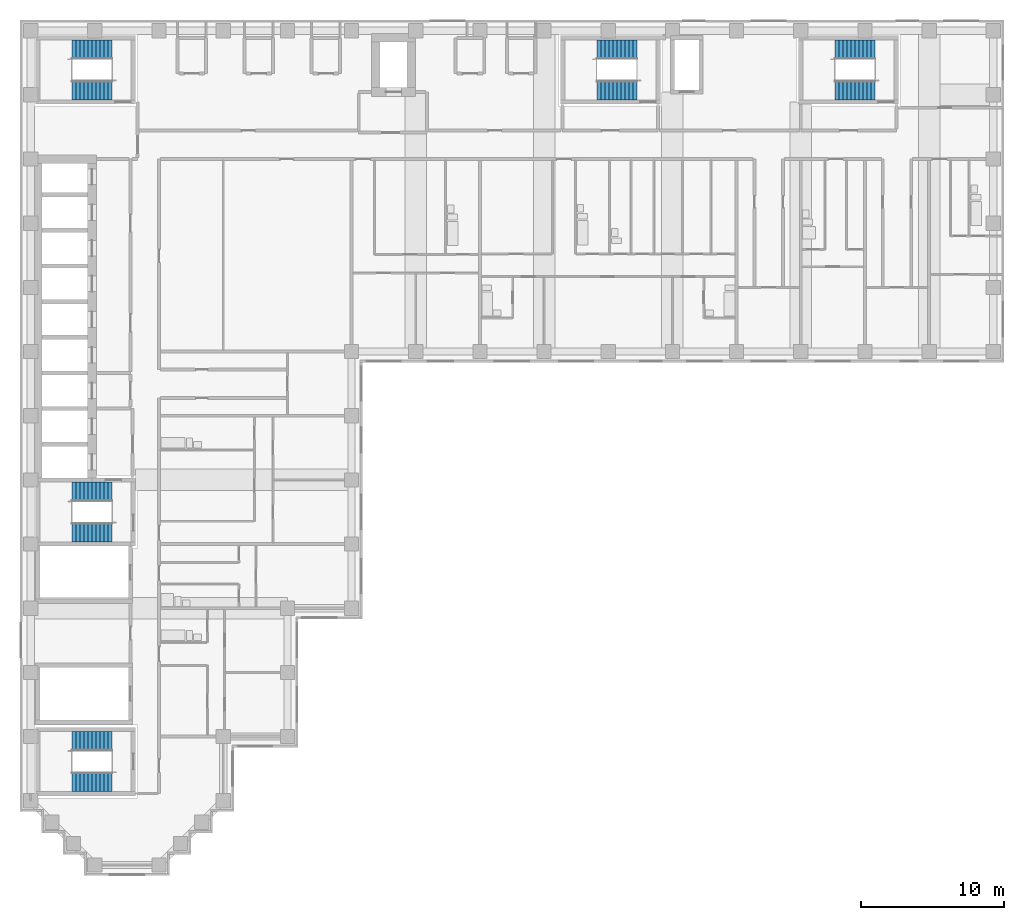
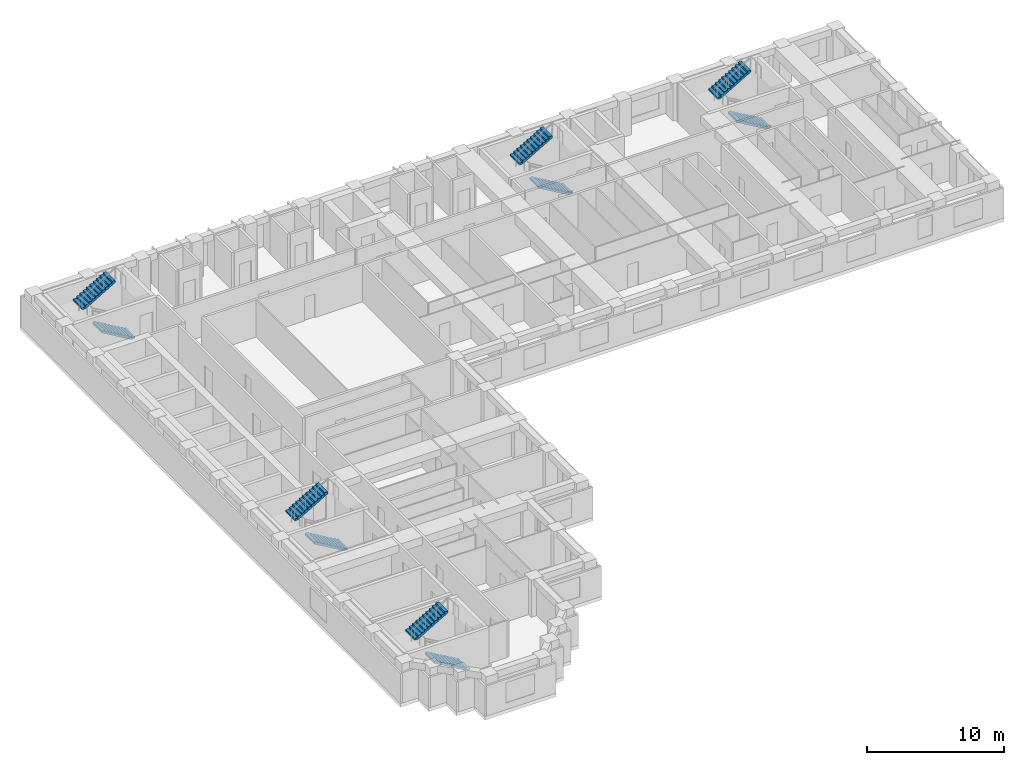
# One storey, part 10 of 12: 10 stair flights, 5 elements without a shape of their own.
"""IFC4 building model written with IfcOpenShell, lengths in metres."""

from ifc_helpers import new_model, si_unit, direction, frame, origin, place, context, subcontext, project, spatial, polyline, outline, extrude, material, type_object, element, aggregate, save


model = new_model("IFC4")

# Units and contexts
model_context = context("Model", 3, precision=1e-05, world=origin(), true_north=direction((0.0, 1.0)))
body_context = subcontext(model_context, "Body", "Model", "MODEL_VIEW")
ifc_project = project(units=[si_unit("LENGTHUNIT", "METRE"), si_unit("AREAUNIT", "SQUARE_METRE"), si_unit("VOLUMEUNIT", "CUBIC_METRE"), si_unit("PLANEANGLEUNIT", "RADIAN"), si_unit("MASSUNIT", "GRAM", prefix="KILO")], contexts=[model_context])

# Site, building, storey
site_placement = place(None, origin())
site = spatial("IfcSite", under=ifc_project, at=site_placement, CompositionType="ELEMENT")
building_placement = place(site_placement, origin())
building = spatial("IfcBuilding", under=site, at=building_placement, Name="Firuza Court", CompositionType="ELEMENT")
storey_placement = place(building_placement, frame((0.0, 0.0, 126.800048828125)))
storey = spatial("IfcBuildingStorey", under=building, at=storey_placement, Name="L31", CompositionType="ELEMENT", Elevation=126.800048828125)

# Stair, stair flights
ifc_material_1 = material(Name="Concrete C40/50 precast", Category="concrete")
stair_type = type_object("IfcStairType", Name="Stair 1350 x 3600 2 flights", PredefinedType="HALF_TURN_STAIR", material=ifc_material_1)
stair_1_placement = place(storey_placement, origin())
stair_1 = element("IfcStair", 1, at=stair_1_placement, inside=storey, type_object=stair_type, Name="Stair 1 L31", PredefinedType="HALF_TURN_STAIR")
ifc_material_2 = material(Name="Concrete C40/50 precast", Category="concrete")
stair_flight_type = type_object("IfcStairFlightType", Name="Flight 1350 riser 163.6", PredefinedType="STRAIGHT", material=ifc_material_2)
stair_flight_1_placement = place(storey_placement, frame((42.5, 54.324951171875, 0.0), z_axis=(0.0, 0.0, 1.0), x_axis=(-1.0, 0.0, 0.0)))
stair_flight_1 = element("IfcStairFlight", 2, at=stair_flight_1_placement, type_object=stair_flight_type, Name="S1 flight 1", NumberOfRisers=11, NumberOfTreads=10, PredefinedType="STRAIGHT", RiserHeight=0.163636364, TreadLength=0.28, context=body_context, shape_type="SweptSolid", body=[
    extrude(outline(polyline([(0.0, 0.0), (0.0, 0.16357421875), (0.280029296875, 0.16357421875), (0.280029296875, 0.327392578125), (0.56005859375, 0.327392578125), (0.56005859375, 0.490966796875), (0.840087890625, 0.490966796875), (0.840087890625, 0.654541015625), (1.1201171875, 0.654541015625), (1.1201171875, 0.818115234375), (1.39990234375, 0.818115234375), (1.39990234375, 0.98193359375), (1.679931640625, 0.98193359375), (1.679931640625, 1.1455078125), (1.9599609375, 1.1455078125), (1.9599609375, 1.30908203125), (2.239990234375, 1.30908203125), (2.239990234375, 1.47265625), (2.52001953125, 1.47265625), (2.52001953125, 1.636474609375), (2.800048828125, 1.636474609375), (2.800048828125, 1.800048828125), (2.800048828125, 1.462646484375), (0.297119140625, 0.0), (0.0, 0.0)])), frame((0.0, 0.675048828125, 0.0), z_axis=(0.0, -1.0, 0.0), x_axis=(1.0, 0.0, 0.0)), (0.0, 0.0, 1.0), 1.35009765625),
])
stair_flight_2_placement = place(storey_placement, frame((39.699951171875, 57.175048828125, 1.800048828125), z_axis=(0.0, 0.0, 1.0), x_axis=(1.0, 0.0, 0.0)))
stair_flight_2 = element("IfcStairFlight", 3, at=stair_flight_2_placement, type_object=stair_flight_type, Name="S1 flight 2", NumberOfRisers=11, NumberOfTreads=10, PredefinedType="STRAIGHT", RiserHeight=0.163636364, TreadLength=0.28, context=body_context, shape_type="SweptSolid", body=[
    extrude(outline(polyline([(0.0, 0.0), (0.0, 0.16357421875), (0.280029296875, 0.16357421875), (0.280029296875, 0.327392578125), (0.56005859375, 0.327392578125), (0.56005859375, 0.490966796875), (0.840087890625, 0.490966796875), (0.840087890625, 0.654541015625), (1.1201171875, 0.654541015625), (1.1201171875, 0.818115234375), (1.39990234375, 0.818115234375), (1.39990234375, 0.98193359375), (1.679931640625, 0.98193359375), (1.679931640625, 1.1455078125), (1.9599609375, 1.1455078125), (1.9599609375, 1.30908203125), (2.239990234375, 1.30908203125), (2.239990234375, 1.47265625), (2.52001953125, 1.47265625), (2.52001953125, 1.636474609375), (2.800048828125, 1.636474609375), (2.800048828125, 1.800048828125), (2.800048828125, 1.462646484375), (0.297119140625, 0.0), (0.0, 0.0)])), frame((0.0, 0.675048828125, 0.0), z_axis=(0.0, -1.0, 0.0), x_axis=(1.0, 0.0, 0.0)), (0.0, 0.0, 1.0), 1.35009765625),
])
aggregate(stair_1, [stair_flight_1, stair_flight_2])

stair_2_placement = place(storey_placement, origin())
stair_2 = element("IfcStair", 4, at=stair_2_placement, inside=storey, type_object=stair_type, Name="Stair 2 L31", PredefinedType="HALF_TURN_STAIR")
stair_flight_3_placement = place(storey_placement, frame((5.699951171875, 23.324951171875, 0.0), z_axis=(0.0, 0.0, 1.0), x_axis=(-1.0, 0.0, 0.0)))
stair_flight_3 = element("IfcStairFlight", 5, at=stair_flight_3_placement, type_object=stair_flight_type, Name="S2 flight 1", NumberOfRisers=11, NumberOfTreads=10, PredefinedType="STRAIGHT", RiserHeight=0.163636364, TreadLength=0.28, context=body_context, shape_type="SweptSolid", body=[
    extrude(outline(polyline([(0.0, 0.0), (0.0, 0.16357421875), (0.280029296875, 0.16357421875), (0.280029296875, 0.327392578125), (0.56005859375, 0.327392578125), (0.56005859375, 0.490966796875), (0.840087890625, 0.490966796875), (0.840087890625, 0.654541015625), (1.1201171875, 0.654541015625), (1.1201171875, 0.818115234375), (1.39990234375, 0.818115234375), (1.39990234375, 0.98193359375), (1.679931640625, 0.98193359375), (1.679931640625, 1.1455078125), (1.9599609375, 1.1455078125), (1.9599609375, 1.30908203125), (2.239990234375, 1.30908203125), (2.239990234375, 1.47265625), (2.52001953125, 1.47265625), (2.52001953125, 1.636474609375), (2.800048828125, 1.636474609375), (2.800048828125, 1.800048828125), (2.800048828125, 1.462646484375), (0.297119140625, 0.0), (0.0, 0.0)])), frame((0.0, 0.675048828125, 0.0), z_axis=(0.0, -1.0, 0.0), x_axis=(1.0, 0.0, 0.0)), (0.0, 0.0, 1.0), 1.35009765625),
])
stair_flight_4_placement = place(storey_placement, frame((2.89990234375, 26.175048828125, 1.800048828125), z_axis=(0.0, 0.0, 1.0), x_axis=(1.0, 0.0, 0.0)))
stair_flight_4 = element("IfcStairFlight", 6, at=stair_flight_4_placement, type_object=stair_flight_type, Name="S2 flight 2", NumberOfRisers=11, NumberOfTreads=10, PredefinedType="STRAIGHT", RiserHeight=0.163636364, TreadLength=0.28, context=body_context, shape_type="SweptSolid", body=[
    extrude(outline(polyline([(0.0, 0.0), (0.0, 0.16357421875), (0.280029296875, 0.16357421875), (0.280029296875, 0.327392578125), (0.56005859375, 0.327392578125), (0.56005859375, 0.490966796875), (0.840087890625, 0.490966796875), (0.840087890625, 0.654541015625), (1.1201171875, 0.654541015625), (1.1201171875, 0.818115234375), (1.39990234375, 0.818115234375), (1.39990234375, 0.98193359375), (1.679931640625, 0.98193359375), (1.679931640625, 1.1455078125), (1.9599609375, 1.1455078125), (1.9599609375, 1.30908203125), (2.239990234375, 1.30908203125), (2.239990234375, 1.47265625), (2.52001953125, 1.47265625), (2.52001953125, 1.636474609375), (2.800048828125, 1.636474609375), (2.800048828125, 1.800048828125), (2.800048828125, 1.462646484375), (0.297119140625, 0.0), (0.0, 0.0)])), frame((0.0, 0.675048828125, 0.0), z_axis=(0.0, -1.0, 0.0), x_axis=(1.0, 0.0, 0.0)), (0.0, 0.0, 1.0), 1.35009765625),
])
aggregate(stair_2, [stair_flight_3, stair_flight_4])

stair_3_placement = place(storey_placement, origin())
stair_3 = element("IfcStair", 7, at=stair_3_placement, inside=storey, type_object=stair_type, Name="Stair 3 L31", PredefinedType="HALF_TURN_STAIR")
stair_flight_5_placement = place(storey_placement, frame((5.699951171875, 54.324951171875, 0.0), z_axis=(0.0, 0.0, 1.0), x_axis=(-1.0, 0.0, 0.0)))
stair_flight_5 = element("IfcStairFlight", 8, at=stair_flight_5_placement, type_object=stair_flight_type, Name="S3 flight 1", NumberOfRisers=11, NumberOfTreads=10, PredefinedType="STRAIGHT", RiserHeight=0.163636364, TreadLength=0.28, context=body_context, shape_type="SweptSolid", body=[
    extrude(outline(polyline([(0.0, 0.0), (0.0, 0.16357421875), (0.280029296875, 0.16357421875), (0.280029296875, 0.327392578125), (0.56005859375, 0.327392578125), (0.56005859375, 0.490966796875), (0.840087890625, 0.490966796875), (0.840087890625, 0.654541015625), (1.1201171875, 0.654541015625), (1.1201171875, 0.818115234375), (1.39990234375, 0.818115234375), (1.39990234375, 0.98193359375), (1.679931640625, 0.98193359375), (1.679931640625, 1.1455078125), (1.9599609375, 1.1455078125), (1.9599609375, 1.30908203125), (2.239990234375, 1.30908203125), (2.239990234375, 1.47265625), (2.52001953125, 1.47265625), (2.52001953125, 1.636474609375), (2.800048828125, 1.636474609375), (2.800048828125, 1.800048828125), (2.800048828125, 1.462646484375), (0.297119140625, 0.0), (0.0, 0.0)])), frame((0.0, 0.675048828125, 0.0), z_axis=(0.0, -1.0, 0.0), x_axis=(1.0, 0.0, 0.0)), (0.0, 0.0, 1.0), 1.35009765625),
])
stair_flight_6_placement = place(storey_placement, frame((2.89990234375, 57.175048828125, 1.800048828125), z_axis=(0.0, 0.0, 1.0), x_axis=(1.0, 0.0, 0.0)))
stair_flight_6 = element("IfcStairFlight", 9, at=stair_flight_6_placement, type_object=stair_flight_type, Name="S3 flight 2", NumberOfRisers=11, NumberOfTreads=10, PredefinedType="STRAIGHT", RiserHeight=0.163636364, TreadLength=0.28, context=body_context, shape_type="SweptSolid", body=[
    extrude(outline(polyline([(0.0, 0.0), (0.0, 0.16357421875), (0.280029296875, 0.16357421875), (0.280029296875, 0.327392578125), (0.56005859375, 0.327392578125), (0.56005859375, 0.490966796875), (0.840087890625, 0.490966796875), (0.840087890625, 0.654541015625), (1.1201171875, 0.654541015625), (1.1201171875, 0.818115234375), (1.39990234375, 0.818115234375), (1.39990234375, 0.98193359375), (1.679931640625, 0.98193359375), (1.679931640625, 1.1455078125), (1.9599609375, 1.1455078125), (1.9599609375, 1.30908203125), (2.239990234375, 1.30908203125), (2.239990234375, 1.47265625), (2.52001953125, 1.47265625), (2.52001953125, 1.636474609375), (2.800048828125, 1.636474609375), (2.800048828125, 1.800048828125), (2.800048828125, 1.462646484375), (0.297119140625, 0.0), (0.0, 0.0)])), frame((0.0, 0.675048828125, 0.0), z_axis=(0.0, -1.0, 0.0), x_axis=(1.0, 0.0, 0.0)), (0.0, 0.0, 1.0), 1.35009765625),
])
aggregate(stair_3, [stair_flight_5, stair_flight_6])

stair_4_placement = place(storey_placement, origin())
stair_4 = element("IfcStair", 10, at=stair_4_placement, inside=storey, type_object=stair_type, Name="Stair 4 L31", PredefinedType="HALF_TURN_STAIR")
stair_flight_7_placement = place(storey_placement, frame((59.199951171875, 54.324951171875, 0.0), z_axis=(0.0, 0.0, 1.0), x_axis=(-1.0, 0.0, 0.0)))
stair_flight_7 = element("IfcStairFlight", 11, at=stair_flight_7_placement, type_object=stair_flight_type, Name="S4 flight 1", NumberOfRisers=11, NumberOfTreads=10, PredefinedType="STRAIGHT", RiserHeight=0.163636364, TreadLength=0.28, context=body_context, shape_type="SweptSolid", body=[
    extrude(outline(polyline([(0.0, 0.0), (0.0, 0.16357421875), (0.280029296875, 0.16357421875), (0.280029296875, 0.327392578125), (0.56005859375, 0.327392578125), (0.56005859375, 0.490966796875), (0.840087890625, 0.490966796875), (0.840087890625, 0.654541015625), (1.1201171875, 0.654541015625), (1.1201171875, 0.818115234375), (1.39990234375, 0.818115234375), (1.39990234375, 0.98193359375), (1.679931640625, 0.98193359375), (1.679931640625, 1.1455078125), (1.9599609375, 1.1455078125), (1.9599609375, 1.30908203125), (2.239990234375, 1.30908203125), (2.239990234375, 1.47265625), (2.52001953125, 1.47265625), (2.52001953125, 1.636474609375), (2.800048828125, 1.636474609375), (2.800048828125, 1.800048828125), (2.800048828125, 1.462646484375), (0.297119140625, 0.0), (0.0, 0.0)])), frame((0.0, 0.675048828125, 0.0), z_axis=(0.0, -1.0, 0.0), x_axis=(1.0, 0.0, 0.0)), (0.0, 0.0, 1.0), 1.35009765625),
])
stair_flight_8_placement = place(storey_placement, frame((56.39990234375, 57.175048828125, 1.800048828125), z_axis=(0.0, 0.0, 1.0), x_axis=(1.0, 0.0, 0.0)))
stair_flight_8 = element("IfcStairFlight", 12, at=stair_flight_8_placement, type_object=stair_flight_type, Name="S4 flight 2", NumberOfRisers=11, NumberOfTreads=10, PredefinedType="STRAIGHT", RiserHeight=0.163636364, TreadLength=0.28, context=body_context, shape_type="SweptSolid", body=[
    extrude(outline(polyline([(0.0, 0.0), (0.0, 0.16357421875), (0.280029296875, 0.16357421875), (0.280029296875, 0.327392578125), (0.56005859375, 0.327392578125), (0.56005859375, 0.490966796875), (0.840087890625, 0.490966796875), (0.840087890625, 0.654541015625), (1.1201171875, 0.654541015625), (1.1201171875, 0.818115234375), (1.39990234375, 0.818115234375), (1.39990234375, 0.98193359375), (1.679931640625, 0.98193359375), (1.679931640625, 1.1455078125), (1.9599609375, 1.1455078125), (1.9599609375, 1.30908203125), (2.239990234375, 1.30908203125), (2.239990234375, 1.47265625), (2.52001953125, 1.47265625), (2.52001953125, 1.636474609375), (2.800048828125, 1.636474609375), (2.800048828125, 1.800048828125), (2.800048828125, 1.462646484375), (0.297119140625, 0.0), (0.0, 0.0)])), frame((0.0, 0.675048828125, 0.0), z_axis=(0.0, -1.0, 0.0), x_axis=(1.0, 0.0, 0.0)), (0.0, 0.0, 1.0), 1.35009765625),
])
aggregate(stair_4, [stair_flight_7, stair_flight_8])

stair_5_placement = place(storey_placement, origin())
stair_5 = element("IfcStair", 13, at=stair_5_placement, inside=storey, type_object=stair_type, Name="Stair 5 L31", PredefinedType="HALF_TURN_STAIR")
stair_flight_9_placement = place(storey_placement, frame((5.699951171875, 5.824951171875, 0.0), z_axis=(0.0, 0.0, 1.0), x_axis=(-1.0, 0.0, 0.0)))
stair_flight_9 = element("IfcStairFlight", 14, at=stair_flight_9_placement, type_object=stair_flight_type, Name="S5 flight 1", NumberOfRisers=11, NumberOfTreads=10, PredefinedType="STRAIGHT", RiserHeight=0.163636364, TreadLength=0.28, context=body_context, shape_type="SweptSolid", body=[
    extrude(outline(polyline([(0.0, 0.0), (0.0, 0.16357421875), (0.280029296875, 0.16357421875), (0.280029296875, 0.327392578125), (0.56005859375, 0.327392578125), (0.56005859375, 0.490966796875), (0.840087890625, 0.490966796875), (0.840087890625, 0.654541015625), (1.1201171875, 0.654541015625), (1.1201171875, 0.818115234375), (1.39990234375, 0.818115234375), (1.39990234375, 0.98193359375), (1.679931640625, 0.98193359375), (1.679931640625, 1.1455078125), (1.9599609375, 1.1455078125), (1.9599609375, 1.30908203125), (2.239990234375, 1.30908203125), (2.239990234375, 1.47265625), (2.52001953125, 1.47265625), (2.52001953125, 1.636474609375), (2.800048828125, 1.636474609375), (2.800048828125, 1.800048828125), (2.800048828125, 1.462646484375), (0.297119140625, 0.0), (0.0, 0.0)])), frame((0.0, 0.675048828125, 0.0), z_axis=(0.0, -1.0, 0.0), x_axis=(1.0, 0.0, 0.0)), (0.0, 0.0, 1.0), 1.35009765625),
])
stair_flight_10_placement = place(storey_placement, frame((2.89990234375, 8.675048828125, 1.800048828125), z_axis=(0.0, 0.0, 1.0), x_axis=(1.0, 0.0, 0.0)))
stair_flight_10 = element("IfcStairFlight", 15, at=stair_flight_10_placement, type_object=stair_flight_type, Name="S5 flight 2", NumberOfRisers=11, NumberOfTreads=10, PredefinedType="STRAIGHT", RiserHeight=0.163636364, TreadLength=0.28, context=body_context, shape_type="SweptSolid", body=[
    extrude(outline(polyline([(0.0, 0.0), (0.0, 0.16357421875), (0.280029296875, 0.16357421875), (0.280029296875, 0.327392578125), (0.56005859375, 0.327392578125), (0.56005859375, 0.490966796875), (0.840087890625, 0.490966796875), (0.840087890625, 0.654541015625), (1.1201171875, 0.654541015625), (1.1201171875, 0.818115234375), (1.39990234375, 0.818115234375), (1.39990234375, 0.98193359375), (1.679931640625, 0.98193359375), (1.679931640625, 1.1455078125), (1.9599609375, 1.1455078125), (1.9599609375, 1.30908203125), (2.239990234375, 1.30908203125), (2.239990234375, 1.47265625), (2.52001953125, 1.47265625), (2.52001953125, 1.636474609375), (2.800048828125, 1.636474609375), (2.800048828125, 1.800048828125), (2.800048828125, 1.462646484375), (0.297119140625, 0.0), (0.0, 0.0)])), frame((0.0, 0.675048828125, 0.0), z_axis=(0.0, -1.0, 0.0), x_axis=(1.0, 0.0, 0.0)), (0.0, 0.0, 1.0), 1.35009765625),
])
aggregate(stair_5, [stair_flight_9, stair_flight_10])

save(model, "model.ifc")
